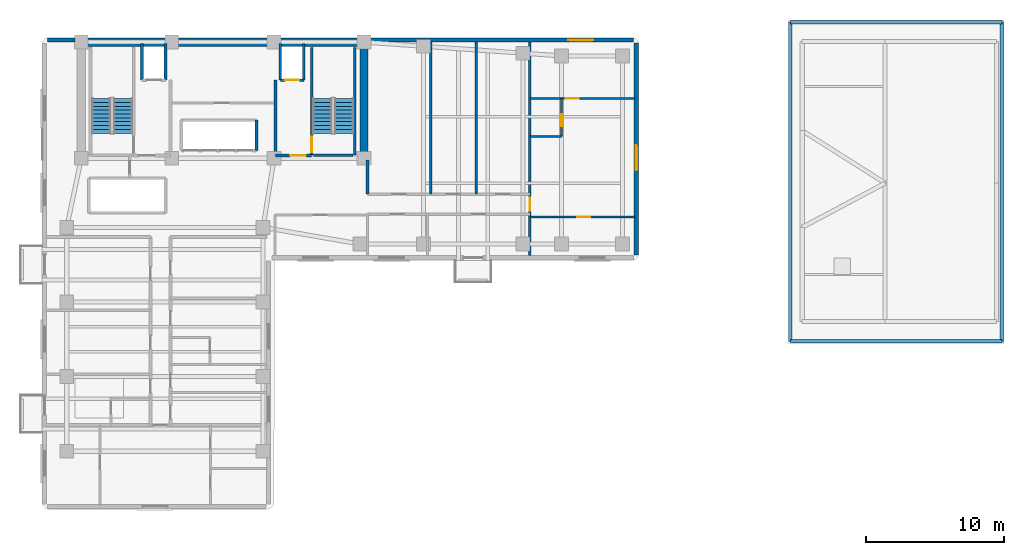
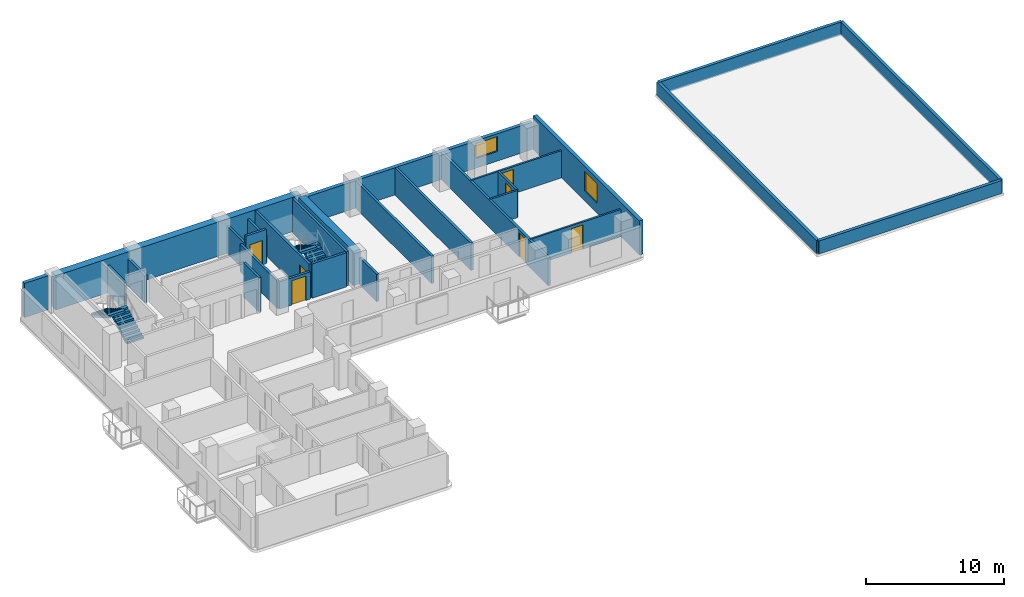
# One storey, part 5 of 8: 28 walls, 7 doors, 4 stair flights, 2 windows, 9 openings, 2 elements without a shape of their own.
"""IFC4 building model written with IfcOpenShell, lengths in metres."""

import ifcopenshell
import ifcopenshell.guid

model = None  # the IFC model being written
_history = None  # IfcOwnerHistory: only IFC2X3 demands one
_inside = {}  # id of a spatial element -> (the spatial element, [elements in it])
_under = {}  # id of a project, library or spatial element -> (it, [spatial elements below it])
_declared = {}  # id of a project -> (the project, [libraries it declares])
_typed = {}  # id of a type object -> (the type object, [elements of that type])
_made_of = {}  # id of a material, layer set ... -> (it, [elements and type objects made of it])


def new_model(schema):
    """Start an empty IFC model of exactly this schema.

    Asked for "IFC4X3", IfcOpenShell would pick the latest addendum, in which some entities
    have other attributes; the version numbers below select the first issue.
    IFC2X3 requires an IfcOwnerHistory on every rooted entity: one is made here for all.
    """
    global model, _history
    if schema == "IFC4X3":
        model = ifcopenshell.file(schema_version=(4, 3, 0, 0))
    else:
        model = ifcopenshell.file(schema=schema)
    _inside.clear()
    _under.clear()
    _declared.clear()
    _typed.clear()
    _made_of.clear()
    _history = None
    if model.schema == "IFC2X3":
        org = make("IfcOrganization", Name="unknown")
        user = make(
            "IfcPersonAndOrganization",
            ThePerson=make("IfcPerson", FamilyName="unknown"),
            TheOrganization=org,
        )
        app = make(
            "IfcApplication",
            ApplicationDeveloper=org,
            Version="unknown",
            ApplicationFullName="unknown",
            ApplicationIdentifier="unknown",
        )
        _history = make(
            "IfcOwnerHistory",
            OwningUser=user,
            OwningApplication=app,
            ChangeAction="ADDED",
            CreationDate=0,
        )
    return model


def make(cls, **values):
    """One entity of the class cls with the attributes given. An attribute that is None is left unset."""
    return model.create_entity(
        cls, **{name: value for name, value in values.items() if value is not None}
    )


def rooted(cls, **values):
    """An entity with a GlobalId (a new one), such as an element, a storey or a relation."""
    return make(cls, GlobalId=ifcopenshell.guid.new(), OwnerHistory=_history, **values)


def si_unit(unit_type, name, prefix=None):
    """IfcSIUnit, for example si_unit("LENGTHUNIT", "METRE", prefix="MILLI")."""
    return make("IfcSIUnit", UnitType=unit_type, Prefix=prefix, Name=name)


def assignment(units):
    """IfcUnitAssignment: the units of a project."""
    return None if units is None else make("IfcUnitAssignment", Units=units)


def point(xyz):
    """IfcCartesianPoint."""
    return None if xyz is None else make("IfcCartesianPoint", Coordinates=xyz)


def direction(xyz):
    """IfcDirection."""
    return None if xyz is None else make("IfcDirection", DirectionRatios=xyz)


def frame(location, z_axis=None, x_axis=None):
    """IfcAxis2Placement3D, a coordinate frame: its origin and axes. An axis left out is left unset."""
    return make(
        "IfcAxis2Placement3D",
        Location=point(location),
        Axis=direction(z_axis),
        RefDirection=direction(x_axis),
    )


def frame_2d(location, x_axis=None):
    """IfcAxis2Placement2D, a coordinate frame in the plane: its origin and x axis."""
    return make(
        "IfcAxis2Placement2D", Location=point(location), RefDirection=direction(x_axis)
    )


def origin():
    """The frame at (0, 0, 0) with its axes left unset."""
    return frame((0.0, 0.0, 0.0))


def place(relative_to, where):
    """IfcLocalPlacement: puts the frame where relative to a parent placement (None: the world)."""
    return make(
        "IfcLocalPlacement", PlacementRelTo=relative_to, RelativePlacement=where
    )


def context(
    kind, dimensions, precision=None, world=None, true_north=None, identifier=None
):
    """IfcGeometricRepresentationContext, for example the 3D "Model" context."""
    return make(
        "IfcGeometricRepresentationContext",
        ContextIdentifier=identifier,
        ContextType=kind,
        CoordinateSpaceDimension=dimensions,
        Precision=precision,
        WorldCoordinateSystem=world,
        TrueNorth=true_north,
    )


def subcontext(parent, identifier, kind, view, scale=None):
    """IfcGeometricRepresentationSubContext, for example "Body" below "Model"."""
    return make(
        "IfcGeometricRepresentationSubContext",
        ContextIdentifier=identifier,
        ContextType=kind,
        ParentContext=parent,
        TargetScale=scale,
        TargetView=view,
    )


def project(units=None, contexts=None):
    """IfcProject with its units and contexts."""
    return rooted(
        "IfcProject",
        Name="project",
        RepresentationContexts=contexts,
        UnitsInContext=assignment(units),
    )


def spatial(cls, under=None, at=None, **own):
    """A site, building, storey or space (cls), placed at a placement, below another one or the project."""
    s = rooted(cls, ObjectPlacement=at, **own)
    if under is not None:
        _under.setdefault(under.id(), (under, []))[1].append(s)
    return s


def polyline(points):
    """IfcPolyline through the points."""
    return make("IfcPolyline", Points=[point(p) for p in points])


def profile(cls, at=None, kind="AREA", **sizes):
    """A parametric profile (cls). Its sizes go by their IFC names, for example OverallWidth=200.0."""
    return make(cls, ProfileType=kind, Position=at, **sizes)


def rectangle(**sizes):
    """IfcRectangleProfileDef."""
    return profile("IfcRectangleProfileDef", **sizes)


def outline(outer, holes=None, kind="AREA"):
    """IfcArbitraryClosedProfileDef: a profile drawn as a closed curve; with holes, ...WithVoids."""
    if holes is None:
        return make("IfcArbitraryClosedProfileDef", ProfileType=kind, OuterCurve=outer)
    return make(
        "IfcArbitraryProfileDefWithVoids",
        ProfileType=kind,
        OuterCurve=outer,
        InnerCurves=holes,
    )


def extrude(swept, where, along, depth):
    """IfcExtrudedAreaSolid: the profile swept, set in the frame where, extruded along a direction by depth."""
    return make(
        "IfcExtrudedAreaSolid",
        SweptArea=swept,
        Position=where,
        ExtrudedDirection=direction(along),
        Depth=depth,
    )


def shape(context_of_items, identifier, shape_type, items):
    """IfcShapeRepresentation: the items that make up one representation, for example the "Body"."""
    return make(
        "IfcShapeRepresentation",
        ContextOfItems=context_of_items,
        RepresentationIdentifier=identifier,
        RepresentationType=shape_type,
        Items=items,
    )


def material(Name=None, Category=None):
    """IfcMaterial."""
    return make("IfcMaterial", Name=Name, Category=Category)


def layer(
    of_material, thickness, ventilated=None, Name=None, Category=None, Priority=None
):
    """IfcMaterialLayer: one layer of a wall or slab, of a material (None: an air gap)."""
    return make(
        "IfcMaterialLayer",
        Material=of_material,
        LayerThickness=thickness,
        IsVentilated=ventilated,
        Name=Name,
        Category=Category,
        Priority=Priority,
    )


def layer_set(layers, Name=None):
    """IfcMaterialLayerSet."""
    return make("IfcMaterialLayerSet", MaterialLayers=layers, LayerSetName=Name)


def made_of(thing, what):
    """Note that an element or type object is made of a material, layer set ...; save() writes the relation."""
    if what is not None:
        _made_of.setdefault(what.id(), (what, []))[1].append(thing)
    return thing


def type_object(cls, material=None, **own):
    """A type object (cls), such as IfcWallType, which elements share."""
    return made_of(rooted(cls, **own), material)


def element(
    cls,
    number,
    at=None,
    inside=None,
    cuts=None,
    type_object=None,
    material=None,
    context=None,
    identifier="Body",
    shape_type=None,
    held_by="IfcProductDefinitionShape",
    body=None,
    shapes=None,
    **own,
):
    """One element of the class cls, such as IfcWall. Its Tag is "e" and its number.

    at: its placement. inside: the storey or other place that contains it. cuts: it is an
    opening in that element (IfcRelVoidsElement). A single representation is given by context,
    identifier, shape_type and body (its items); several are given by shapes. held_by: the class
    of the entity that holds the representations. save() writes the other relations.
    """
    e = rooted(cls, Tag="e%d" % number, ObjectPlacement=at, **own)
    if body is not None:
        shapes = [shape(context, identifier, shape_type, body)]
    if shapes is not None:
        e.Representation = make(held_by, Representations=shapes)
    if inside is not None:
        _inside.setdefault(inside.id(), (inside, []))[1].append(e)
    if cuts is not None:
        rooted(
            "IfcRelVoidsElement", RelatingBuildingElement=cuts, RelatedOpeningElement=e
        )
    if type_object is not None:
        _typed.setdefault(type_object.id(), (type_object, []))[1].append(e)
    return made_of(e, material)


def fill(opening, filler):
    """IfcRelFillsElement: the door or window that sits in an opening."""
    return rooted(
        "IfcRelFillsElement",
        RelatingOpeningElement=opening,
        RelatedBuildingElement=filler,
    )


def aggregate(whole, parts):
    """IfcRelAggregates: a whole, such as a stair, and the parts it consists of."""
    return rooted("IfcRelAggregates", RelatingObject=whole, RelatedObjects=parts)


def save(model, path):
    """Write the relations noted so far, then the file.

    IfcRelAggregates (storeys below a building ...), IfcRelContainedInSpatialStructure (elements
    in a storey), IfcRelDefinesByType, IfcRelAssociatesMaterial and IfcRelDeclares: one each for
    every whole, place, type object, material and project.
    """
    for whole, parts in _under.values():
        aggregate(whole, parts)
    for where, things in _inside.values():
        rooted(
            "IfcRelContainedInSpatialStructure",
            RelatedElements=things,
            RelatingStructure=where,
        )
    for kind, things in _typed.values():
        rooted("IfcRelDefinesByType", RelatedObjects=things, RelatingType=kind)
    for what, things in _made_of.values():
        rooted("IfcRelAssociatesMaterial", RelatedObjects=things, RelatingMaterial=what)
    for by, libraries in _declared.values():
        rooted("IfcRelDeclares", RelatingContext=by, RelatedDefinitions=libraries)
    model.write(path)


model = new_model("IFC4")

# Units and contexts
model_context = context("Model", 3, precision=1e-05, world=origin(), true_north=direction((0.0, 1.0)))
body_context = subcontext(model_context, "Body", "Model", "MODEL_VIEW")
ifc_project = project(units=[si_unit("LENGTHUNIT", "METRE"), si_unit("AREAUNIT", "SQUARE_METRE"), si_unit("VOLUMEUNIT", "CUBIC_METRE"), si_unit("PLANEANGLEUNIT", "RADIAN"), si_unit("MASSUNIT", "GRAM", prefix="KILO")], contexts=[model_context])

# Site, building, storey
site_placement = place(None, origin())
site = spatial("IfcSite", under=ifc_project, at=site_placement, CompositionType="ELEMENT")
building_placement = place(site_placement, origin())
building = spatial("IfcBuilding", under=site, at=building_placement, Name="Kuzgunbayir Cultural Tower", CompositionType="ELEMENT")
storey_placement = place(building_placement, frame((0.0, 0.0, 107.39990234375)))
storey = spatial("IfcBuildingStorey", under=building, at=storey_placement, Name="L30", CompositionType="ELEMENT", Elevation=107.39990234375)

# Walls
ifc_material_1 = material(Name="Concrete C60/75", Category="concrete")
ifc_layer_1 = layer(ifc_material_1, 0.60009765625)
ifc_layer_set_1 = layer_set([ifc_layer_1], Name="Concrete C60/75")
wall_type_1 = type_object("IfcWallType", Name="WAL-CORE-600", PredefinedType="SHEAR", material=ifc_layer_set_1)
wall_1_placement = place(storey_placement, frame((6.449951171875, 42.199951171875, 0.0), z_axis=(0.0, 0.0, 1.0), x_axis=(1.0, 0.0, 0.0)))
element("IfcWall", 1, at=wall_1_placement, inside=storey, type_object=wall_type_1, Name="L30 T1 Core North Shear Wall", PredefinedType="SHEAR", context=body_context, shape_type="SweptSolid", body=[
    extrude(rectangle(XDim=20.449951171875, YDim=0.60009765625, at=frame_2d((10.22509765625, 0.0))), origin(), (0.0, 0.0, 1.0), 3.02001953125),
])
wall_2_placement = place(storey_placement, frame((26.89990234375, 33.800048828125, 0.0), z_axis=(0.0, 0.0, 1.0), x_axis=(0.0, 1.0, 0.0)))
element("IfcWall", 2, at=wall_2_placement, inside=storey, type_object=wall_type_1, Name="L30 T1 Core East Shear Wall", PredefinedType="SHEAR", context=body_context, shape_type="SweptSolid", body=[
    extrude(rectangle(XDim=7.949951171875, YDim=0.60009765625, at=frame_2d((3.97509765625, 0.0))), origin(), (0.0, 0.0, 1.0), 3.02001953125),
])

# Wall, opening, window
ifc_material_2 = material(Name="Anatolian Cream Limestone", Category="masonry")
ifc_layer_2 = layer(ifc_material_2, 0.300048828125)
ifc_layer_set_2 = layer_set([ifc_layer_2], Name="Anatolian Cream Limestone")
wall_type_2 = type_object("IfcWallType", Name="WAL-EXT-STONE-300", PredefinedType="STANDARD", material=ifc_layer_set_2)
wall_3_placement = place(storey_placement, frame((46.39990234375, 42.35009765625, 0.0), z_axis=(0.0, 0.0, 1.0), x_axis=(-1.0, 0.0, 0.0)))
wall_3 = element("IfcWall", 3, at=wall_3_placement, inside=storey, type_object=wall_type_2, Name="L30 North Wing B Limestone Wall", PredefinedType="STANDARD", context=body_context, shape_type="SweptSolid", body=[
    extrude(rectangle(XDim=19.0498046875, YDim=0.300048828125, at=frame_2d((9.52490234375, 0.0))), origin(), (0.0, 0.0, 1.0), 2.41015625),
])
opening_1_placement = place(wall_3_placement, frame((2.919921875, 0.0, 0.85009765625)))
opening_1 = element("IfcOpeningElement", 4, at=opening_1_placement, cuts=wall_3, Name="Opening WH-18", PredefinedType="OPENING", context=body_context, shape_type="SweptSolid", body=[
    extrude(rectangle(XDim=1.800048828125, YDim=1.31005859375, at=frame_2d((0.89990234375, 0.655029296875))), frame((0.0, 0.16015625, 0.0), z_axis=(0.0, -1.0, 0.0), x_axis=(1.0, 0.0, 0.0)), (0.0, 0.0, 1.0), 0.320068359375),
])
ifc_material_3 = material(Name="Solar-Control Triple Glazing", Category="glass")
window_type = type_object("IfcWindowType", Name="WIN-HOTEL-18", PartitioningType="SINGLE_PANEL", PredefinedType="WINDOW", material=ifc_material_3)
window_1_placement = place(opening_1_placement, origin())
window_1 = element("IfcWindow", 5, at=window_1_placement, inside=storey, type_object=window_type, Name="L30 CRN Facade Window 5", OverallHeight=1.31005859375, OverallWidth=1.800048828125, PartitioningType="SINGLE_PANEL", PredefinedType="WINDOW", context=body_context, shape_type="SweptSolid", body=[
    extrude(rectangle(XDim=1.800048828125, YDim=1.31005859375, at=frame_2d((0.89990234375, 0.655029296875))), frame((0.0, 0.030029296875, 0.0), z_axis=(0.0, -1.0, 0.0), x_axis=(1.0, 0.0, 0.0)), (0.0, 0.0, 1.0), 0.06005859375),
])
fill(opening_1, window_1)

# Wall
wall_4_placement = place(storey_placement, frame((6.0, 42.35009765625, 0.0), z_axis=(0.0, 0.0, 1.0), x_axis=(-1.0, 0.0, 0.0)))
element("IfcWall", 6, at=wall_4_placement, inside=storey, type_object=wall_type_2, Name="L30 Core North-West Spandrel Link", PredefinedType="STANDARD", context=body_context, shape_type="SweptSolid", body=[
    extrude(rectangle(XDim=2.0, YDim=0.300048828125, at=frame_2d((1.0, 0.0))), origin(), (0.0, 0.0, 1.0), 3.02001953125),
])

# Wall, opening, window
wall_5_placement = place(storey_placement, frame((46.60009765625, 26.800048828125, 0.0), z_axis=(0.0, 0.0, 1.0), x_axis=(0.0, 1.0, 0.0)))
wall_5 = element("IfcWall", 7, at=wall_5_placement, inside=storey, type_object=wall_type_2, Name="L30 Wing B East Limestone Wall", PredefinedType="STANDARD", context=body_context, shape_type="SweptSolid", body=[
    extrude(rectangle(XDim=15.349853515625, YDim=0.300048828125, at=frame_2d((7.6748046875, 0.0))), origin(), (0.0, 0.0, 1.0), 3.02001953125),
])
opening_2_placement = place(wall_5_placement, frame((6.1298828125, 0.0, 0.85009765625)))
opening_2 = element("IfcOpeningElement", 8, at=opening_2_placement, cuts=wall_5, Name="Opening WH-18", PredefinedType="OPENING", context=body_context, shape_type="SweptSolid", body=[
    extrude(rectangle(XDim=1.800048828125, YDim=1.75, at=frame_2d((0.89990234375, 0.875))), frame((0.0, 0.16015625, 0.0), z_axis=(0.0, -1.0, 0.0), x_axis=(1.0, 0.0, 0.0)), (0.0, 0.0, 1.0), 0.320068359375),
])
window_2_placement = place(opening_2_placement, origin())
window_2 = element("IfcWindow", 9, at=window_2_placement, inside=storey, type_object=window_type, Name="L30 WBE Facade Window 4", OverallHeight=1.75, OverallWidth=1.800048828125, PartitioningType="SINGLE_PANEL", PredefinedType="WINDOW", context=body_context, shape_type="SweptSolid", body=[
    extrude(rectangle(XDim=1.800048828125, YDim=1.75, at=frame_2d((0.89990234375, 0.875))), frame((0.0, 0.030029296875, 0.0), z_axis=(0.0, -1.0, 0.0), x_axis=(1.0, 0.0, 0.0)), (0.0, 0.0, 1.0), 0.06005859375),
])
fill(opening_2, window_2)

# Walls
ifc_layer_3 = layer(ifc_material_2, 0.25)
ifc_layer_set_3 = layer_set([ifc_layer_3], Name="Anatolian Cream Limestone")
wall_type_3 = type_object("IfcWallType", Name="WAL-PARAPET-STONE-250", PredefinedType="PARAPET", material=ifc_layer_set_3)
wall_6_placement = place(storey_placement, frame((57.75, 20.550048828125, 0.0), z_axis=(0.0, 0.0, 1.0), x_axis=(1.0, 0.0, 0.0)))
element("IfcWall", 10, at=wall_6_placement, inside=storey, type_object=wall_type_3, Name="L30 Limestone Roof Parapet 1", PredefinedType="PARAPET", context=body_context, shape_type="SweptSolid", body=[
    extrude(rectangle(XDim=15.300048828125, YDim=0.25, at=frame_2d((7.64990234375, 0.0))), origin(), (0.0, 0.0, 1.0), 1.150146484375),
])
wall_7_placement = place(storey_placement, frame((73.050048828125, 20.550048828125, 0.0), z_axis=(0.0, 0.0, 1.0), x_axis=(0.0, 1.0, 0.0)))
element("IfcWall", 11, at=wall_7_placement, inside=storey, type_object=wall_type_3, Name="L30 Limestone Roof Parapet 2", PredefinedType="PARAPET", context=body_context, shape_type="SweptSolid", body=[
    extrude(rectangle(XDim=23.099853515625, YDim=0.25, at=frame_2d((11.5498046875, 0.0))), origin(), (0.0, 0.0, 1.0), 1.150146484375),
])
wall_8_placement = place(storey_placement, frame((73.050048828125, 43.64990234375, 0.0), z_axis=(0.0, 0.0, 1.0), x_axis=(-1.0, 0.0, 0.0)))
element("IfcWall", 12, at=wall_8_placement, inside=storey, type_object=wall_type_3, Name="L30 Limestone Roof Parapet 3", PredefinedType="PARAPET", context=body_context, shape_type="SweptSolid", body=[
    extrude(rectangle(XDim=15.300048828125, YDim=0.25, at=frame_2d((7.64990234375, 0.0))), origin(), (0.0, 0.0, 1.0), 1.150146484375),
])
wall_9_placement = place(storey_placement, frame((57.75, 43.64990234375, 0.0), z_axis=(0.0, 0.0, 1.0), x_axis=(0.0, -1.0, 0.0)))
element("IfcWall", 13, at=wall_9_placement, inside=storey, type_object=wall_type_3, Name="L30 Limestone Roof Parapet 4", PredefinedType="PARAPET", context=body_context, shape_type="SweptSolid", body=[
    extrude(rectangle(XDim=23.099853515625, YDim=0.25, at=frame_2d((11.5498046875, 0.0))), origin(), (0.0, 0.0, 1.0), 1.150146484375),
])

# Wall, opening, door
ifc_material_4 = material(Name="Acoustic Double-Stud Drywall", Category="gypsum")
ifc_layer_4 = layer(ifc_material_4, 0.14990234375)
ifc_layer_set_4 = layer_set([ifc_layer_4], Name="Acoustic Double-Stud Drywall")
wall_type_4 = type_object("IfcWallType", Name="WAL-PART-ACOUSTIC-150", PredefinedType="PARTITIONING", material=ifc_layer_set_4)
wall_10_placement = place(storey_placement, frame((38.89990234375, 38.1201171875, 0.0), z_axis=(0.0, 0.0, 1.0), x_axis=(1.0, 0.0, 0.0)))
wall_10 = element("IfcWall", 14, at=wall_10_placement, inside=storey, type_object=wall_type_4, Name="L30 Corner Suite Bedroom Wall", PredefinedType="PARTITIONING", context=body_context, shape_type="SweptSolid", body=[
    extrude(rectangle(XDim=7.60009765625, YDim=0.14990234375, at=frame_2d((3.800048828125, 0.0))), origin(), (0.0, 0.0, 1.0), 2.41015625),
])
opening_3_placement = place(wall_10_placement, frame((2.590087890625, 0.0, 0.0)))
opening_3 = element("IfcOpeningElement", 15, at=opening_3_placement, cuts=wall_10, Name="Opening DI-90", PredefinedType="OPENING", context=body_context, shape_type="SweptSolid", body=[
    extrude(rectangle(XDim=0.949951171875, YDim=2.14990234375, at=frame_2d((0.47509765625, 1.074951171875))), frame((0.0, 0.0849609375, 0.0), z_axis=(0.0, -1.0, 0.0), x_axis=(1.0, 0.0, 0.0)), (0.0, 0.0, 1.0), 0.169921875),
])
ifc_material_5 = material(Name="Veneered Oak Single Leaf", Category="wood")
door_type_1 = type_object("IfcDoorType", Name="DR-INT-90", OperationType="NOTDEFINED", PredefinedType="DOOR", material=ifc_material_5)
door_1_placement = place(opening_3_placement, origin())
door_1 = element("IfcDoor", 16, at=door_1_placement, inside=storey, type_object=door_type_1, Name="L30 Corner Bedroom Door", OperationType="SINGLE_SWING_RIGHT", OverallHeight=2.14990234375, OverallWidth=0.949951171875, PredefinedType="DOOR", context=body_context, shape_type="SweptSolid", body=[
    extrude(rectangle(XDim=0.949951171875, YDim=2.14990234375, at=frame_2d((0.47509765625, 1.074951171875))), frame((0.0, 0.02490234375, 0.0), z_axis=(0.0, -1.0, 0.0), x_axis=(1.0, 0.0, 0.0)), (0.0, 0.0, 1.0), 0.050048828125),
])
fill(opening_3, door_1)

# Wall
ifc_material_6 = material(Name="Aerated Concrete Blockwork", Category="masonry")
ifc_layer_5 = layer(ifc_material_6, 0.199951171875)
ifc_layer_set_5 = layer_set([ifc_layer_5], Name="Aerated Concrete Blockwork")
wall_type_5 = type_object("IfcWallType", Name="WAL-PART-FIRE-200", PredefinedType="PARTITIONING", material=ifc_layer_set_5)
wall_11_placement = place(storey_placement, frame((20.5, 34.0, 0.0), z_axis=(0.0, 0.0, 1.0), x_axis=(0.0, 1.0, 0.0)))
element("IfcWall", 17, at=wall_11_placement, inside=storey, type_object=wall_type_5, Name="L30 FFL-2 Lobby West Fire Wall", PredefinedType="PARTITIONING", context=body_context, shape_type="SweptSolid", body=[
    extrude(rectangle(XDim=5.449951171875, YDim=0.199951171875, at=frame_2d((2.72509765625, 0.0))), origin(), (0.0, 0.0, 1.0), 2.41015625),
])

# Wall, opening, door
wall_12_placement = place(storey_placement, frame((20.5, 34.0, 0.0), z_axis=(0.0, 0.0, 1.0), x_axis=(1.0, 0.0, 0.0)))
wall_12 = element("IfcWall", 18, at=wall_12_placement, inside=storey, type_object=wall_type_5, Name="L30 FFL-2 Lobby South Fire Wall", PredefinedType="PARTITIONING", context=body_context, shape_type="SweptSolid", body=[
    extrude(rectangle(XDim=2.60009765625, YDim=0.199951171875, at=frame_2d((1.300048828125, 0.0))), origin(), (0.0, 0.0, 1.0), 2.41015625),
])
opening_4_placement = place(wall_12_placement, frame((1.050048828125, 0.0, 0.0)))
opening_4 = element("IfcOpeningElement", 19, at=opening_4_placement, cuts=wall_12, Name="Opening DR-FFL-90", PredefinedType="OPENING", context=body_context, shape_type="SweptSolid", body=[
    extrude(rectangle(XDim=1.14990234375, YDim=2.14990234375, at=frame_2d((0.574951171875, 1.074951171875))), frame((0.0, 0.10986328125, 0.0), z_axis=(0.0, -1.0, 0.0), x_axis=(1.0, 0.0, 0.0)), (0.0, 0.0, 1.0), 0.219970703125),
])
ifc_material_7 = material(Name="Steel S355J2", Category="steel")
door_type_2 = type_object("IfcDoorType", Name="DR-FFL-90", OperationType="NOTDEFINED", PredefinedType="DOOR", material=ifc_material_7)
door_2_placement = place(opening_4_placement, origin())
door_2 = element("IfcDoor", 20, at=door_2_placement, inside=storey, type_object=door_type_2, Name="L30 Firefighting Lobby 2 Door", OperationType="SINGLE_SWING_RIGHT", OverallHeight=2.14990234375, OverallWidth=1.14990234375, PredefinedType="DOOR", context=body_context, shape_type="SweptSolid", body=[
    extrude(rectangle(XDim=1.14990234375, YDim=2.14990234375, at=frame_2d((0.574951171875, 1.074951171875))), frame((0.0, 0.02490234375, 0.0), z_axis=(0.0, -1.0, 0.0), x_axis=(1.0, 0.0, 0.0)), (0.0, 0.0, 1.0), 0.050048828125),
])
fill(opening_4, door_2)

# Wall
wall_13_placement = place(storey_placement, frame((27.14990234375, 31.199951171875, 0.0), z_axis=(0.0, 0.0, 1.0), x_axis=(0.0, 1.0, 0.0)))
element("IfcWall", 21, at=wall_13_placement, inside=storey, type_object=wall_type_5, Name="L30 Wing B North Core Closure Wall", PredefinedType="PARTITIONING", context=body_context, shape_type="SweptSolid", body=[
    extrude(rectangle(XDim=2.47998046875, YDim=0.199951171875, at=frame_2d((1.239990234375, 0.0))), origin(), (0.0, 0.0, 1.0), 2.41015625),
])

# Wall, opening, door
wall_14_placement = place(storey_placement, frame((38.89990234375, 26.75, 0.0), z_axis=(0.0, 0.0, 1.0), x_axis=(0.0, 1.0, 0.0)))
wall_14 = element("IfcWall", 22, at=wall_14_placement, inside=storey, type_object=wall_type_5, Name="L30 Wing B East Suite Wall", PredefinedType="PARTITIONING", context=body_context, shape_type="SweptSolid", body=[
    extrude(rectangle(XDim=15.449951171875, YDim=0.199951171875, at=frame_2d((7.72509765625, 0.0))), origin(), (0.0, 0.0, 1.0), 2.41015625),
])
opening_5_placement = place(wall_14_placement, frame((3.25, 0.0, 0.0)))
opening_5 = element("IfcOpeningElement", 23, at=opening_5_placement, cuts=wall_14, Name="Opening DR-APT-60", PredefinedType="OPENING", context=body_context, shape_type="SweptSolid", body=[
    extrude(rectangle(XDim=0.949951171875, YDim=2.14990234375, at=frame_2d((0.47509765625, 1.074951171875))), frame((0.0, 0.10986328125, 0.0), z_axis=(0.0, -1.0, 0.0), x_axis=(1.0, 0.0, 0.0)), (0.0, 0.0, 1.0), 0.219970703125),
])
ifc_material_8 = material(Name="Acoustic Fire Timber Leaf", Category="wood")
door_type_3 = type_object("IfcDoorType", Name="DR-APT-60", OperationType="NOTDEFINED", PredefinedType="DOOR", material=ifc_material_8)
door_3_placement = place(opening_5_placement, origin())
door_3 = element("IfcDoor", 24, at=door_3_placement, inside=storey, type_object=door_type_3, Name="L30 Corner Suite Entrance", OperationType="SINGLE_SWING_LEFT", OverallHeight=2.14990234375, OverallWidth=0.949951171875, PredefinedType="DOOR", context=body_context, shape_type="SweptSolid", body=[
    extrude(rectangle(XDim=0.949951171875, YDim=2.14990234375, at=frame_2d((0.47509765625, 1.074951171875))), frame((0.0, 0.02490234375, 0.0), z_axis=(0.0, -1.0, 0.0), x_axis=(1.0, 0.0, 0.0)), (0.0, 0.0, 1.0), 0.050048828125),
])
fill(opening_5, door_3)

# Walls
for number, where, z_axis, x_axis, name in (
    (25, (31.72998046875, 31.199951171875, 0.0), (0.0, 0.0, 1.0), (0.0, 1.0, 0.0), "L30 Wing B North Party Wall 1"),
    (26, (35.02001953125, 31.199951171875, 0.0), (0.0, 0.0, 1.0), (0.0, 1.0, 0.0), "L30 Wing B North Party Wall 2"),
):
    element("IfcWall", number, at=place(storey_placement, frame(where, z_axis=z_axis, x_axis=x_axis)), inside=storey, type_object=wall_type_5, Name=name, PredefinedType="PARTITIONING", context=body_context, shape_type="SweptSolid", body=[
        extrude(rectangle(XDim=11.0, YDim=0.199951171875, at=frame_2d((5.5, 0.0))), origin(), (0.0, 0.0, 1.0), 2.41015625),
    ])

# Wall, opening, door
ifc_material_9 = material(Name="Moisture-Resistant Tile Partition", Category="gypsum")
ifc_layer_6 = layer(ifc_material_9, 0.14990234375)
ifc_layer_set_6 = layer_set([ifc_layer_6], Name="Moisture-Resistant Tile Partition")
wall_type_6 = type_object("IfcWallType", Name="WAL-PART-WET-150", PredefinedType="PARTITIONING", material=ifc_layer_set_6)
wall_15_placement = place(storey_placement, frame((38.89990234375, 29.550048828125, 0.0), z_axis=(0.0, 0.0, 1.0), x_axis=(1.0, 0.0, 0.0)))
wall_15 = element("IfcWall", 27, at=wall_15_placement, inside=storey, type_object=wall_type_6, Name="L30 Corner Suite Kitchen Wall", PredefinedType="PARTITIONING", context=body_context, shape_type="SweptSolid", body=[
    extrude(rectangle(XDim=7.60009765625, YDim=0.14990234375, at=frame_2d((3.800048828125, 0.0))), origin(), (0.0, 0.0, 1.0), 2.41015625),
])
opening_6_placement = place(wall_15_placement, frame((3.419921875, 0.0, 0.0)))
opening_6 = element("IfcOpeningElement", 28, at=opening_6_placement, cuts=wall_15, Name="Opening DI-90", PredefinedType="OPENING", context=body_context, shape_type="SweptSolid", body=[
    extrude(rectangle(XDim=0.949951171875, YDim=2.14990234375, at=frame_2d((0.47509765625, 1.074951171875))), frame((0.0, 0.0849609375, 0.0), z_axis=(0.0, -1.0, 0.0), x_axis=(1.0, 0.0, 0.0)), (0.0, 0.0, 1.0), 0.169921875),
])
door_4_placement = place(opening_6_placement, origin())
door_4 = element("IfcDoor", 29, at=door_4_placement, inside=storey, type_object=door_type_1, Name="L30 Corner Suite Kitchen Door", OperationType="SINGLE_SWING_RIGHT", OverallHeight=2.14990234375, OverallWidth=0.949951171875, PredefinedType="DOOR", context=body_context, shape_type="SweptSolid", body=[
    extrude(rectangle(XDim=0.949951171875, YDim=2.14990234375, at=frame_2d((0.47509765625, 1.074951171875))), frame((0.0, 0.02490234375, 0.0), z_axis=(0.0, -1.0, 0.0), x_axis=(1.0, 0.0, 0.0)), (0.0, 0.0, 1.0), 0.050048828125),
])
fill(opening_6, door_4)

# Wall
wall_16_placement = place(storey_placement, frame((38.89990234375, 35.3701171875, 0.0), z_axis=(0.0, 0.0, 1.0), x_axis=(1.0, 0.0, 0.0)))
element("IfcWall", 30, at=wall_16_placement, inside=storey, type_object=wall_type_6, Name="L30 Corner Suite Bath South Wall", PredefinedType="PARTITIONING", context=body_context, shape_type="SweptSolid", body=[
    extrude(rectangle(XDim=2.300048828125, YDim=0.14990234375, at=frame_2d((1.14990234375, 0.0))), origin(), (0.0, 0.0, 1.0), 2.41015625),
])

# Wall, opening, door
wall_17_placement = place(storey_placement, frame((41.199951171875, 35.3701171875, 0.0), z_axis=(0.0, 0.0, 1.0), x_axis=(0.0, 1.0, 0.0)))
wall_17 = element("IfcWall", 31, at=wall_17_placement, inside=storey, type_object=wall_type_6, Name="L30 Corner Suite Bath East Wall", PredefinedType="PARTITIONING", context=body_context, shape_type="SweptSolid", body=[
    extrude(rectangle(XDim=2.75, YDim=0.14990234375, at=frame_2d((1.375, 0.0))), origin(), (0.0, 0.0, 1.0), 2.41015625),
])
opening_7_placement = place(wall_17_placement, frame((0.75, 0.0, 0.0)))
opening_7 = element("IfcOpeningElement", 32, at=opening_7_placement, cuts=wall_17, Name="Opening DW-85", PredefinedType="OPENING", context=body_context, shape_type="SweptSolid", body=[
    extrude(rectangle(XDim=0.85009765625, YDim=2.10009765625, at=frame_2d((0.425048828125, 1.050048828125))), frame((0.0, 0.0849609375, 0.0), z_axis=(0.0, -1.0, 0.0), x_axis=(1.0, 0.0, 0.0)), (0.0, 0.0, 1.0), 0.169921875),
])
ifc_material_10 = material(Name="Laminate Moisture-Resistant Leaf", Category="wood")
door_type_4 = type_object("IfcDoorType", Name="DR-WET-85", OperationType="NOTDEFINED", PredefinedType="DOOR", material=ifc_material_10)
door_5_placement = place(opening_7_placement, origin())
door_5 = element("IfcDoor", 33, at=door_5_placement, inside=storey, type_object=door_type_4, Name="L30 Corner Suite Bathroom Door", OperationType="SINGLE_SWING_LEFT", OverallHeight=2.10009765625, OverallWidth=0.85009765625, PredefinedType="DOOR", context=body_context, shape_type="SweptSolid", body=[
    extrude(rectangle(XDim=0.85009765625, YDim=2.10009765625, at=frame_2d((0.425048828125, 1.050048828125))), frame((0.0, 0.02490234375, 0.0), z_axis=(0.0, -1.0, 0.0), x_axis=(1.0, 0.0, 0.0)), (0.0, 0.0, 1.0), 0.050048828125),
])
fill(opening_7, door_5)

ifc_material_11 = material(Name="Concrete C40/50", Category="concrete")
ifc_layer_7 = layer(ifc_material_11, 0.199951171875)
ifc_layer_set_7 = layer_set([ifc_layer_7], Name="Concrete C40/50")
wall_type_7 = type_object("IfcWallType", Name="WAL-SHAFT-200", PredefinedType="MOVABLE", material=ifc_layer_set_7)
wall_18_placement = place(storey_placement, frame((20.85009765625, 39.449951171875, 0.0), z_axis=(0.0, 0.0, 1.0), x_axis=(1.0, 0.0, 0.0)))
wall_18 = element("IfcWall", 34, at=wall_18_placement, inside=storey, type_object=wall_type_7, Name="L30 FFL-2 Lift Front Wall", PredefinedType="MOVABLE", context=body_context, shape_type="SweptSolid", body=[
    extrude(rectangle(XDim=1.699951171875, YDim=0.199951171875, at=frame_2d((0.85009765625, 0.0))), origin(), (0.0, 0.0, 1.0), 3.02001953125),
])
opening_8_placement = place(wall_18_placement, frame((0.320068359375, 0.0, 0.0)))
opening_8 = element("IfcOpeningElement", 35, at=opening_8_placement, cuts=wall_18, Name="Opening LD", PredefinedType="OPENING", context=body_context, shape_type="SweptSolid", body=[
    extrude(rectangle(XDim=1.050048828125, YDim=2.14990234375, at=frame_2d((0.52490234375, 1.074951171875))), frame((0.0, 0.10986328125, 0.0), z_axis=(0.0, -1.0, 0.0), x_axis=(1.0, 0.0, 0.0)), (0.0, 0.0, 1.0), 0.219970703125),
])
ifc_material_12 = material(Name="Brushed Stainless Steel", Category="steel")
door_type_5 = type_object("IfcDoorType", Name="DR-LIFT-LANDING", OperationType="SLIDING_TO_LEFT", PredefinedType="DOOR", material=ifc_material_12)
door_6_placement = place(opening_8_placement, origin())
door_6 = element("IfcDoor", 36, at=door_6_placement, inside=storey, type_object=door_type_5, Name="L30 Lift FFL-2 Landing Door", OperationType="SLIDING_TO_LEFT", OverallHeight=2.14990234375, OverallWidth=1.050048828125, PredefinedType="DOOR", context=body_context, shape_type="SweptSolid", body=[
    extrude(rectangle(XDim=1.050048828125, YDim=2.14990234375, at=frame_2d((0.52490234375, 1.074951171875))), frame((0.0, 0.02490234375, 0.0), z_axis=(0.0, -1.0, 0.0), x_axis=(1.0, 0.0, 0.0)), (0.0, 0.0, 1.0), 0.050048828125),
])
fill(opening_8, door_6)

# Walls
for number, where, z_axis, x_axis, name in (
    (37, (10.85009765625, 39.449951171875, 0.0), (0.0, 0.0, 1.0), (0.0, 1.0, 0.0), "L30 FFL-1 Shaft West Wall"),
    (38, (12.550048828125, 39.449951171875, 0.0), (0.0, 0.0, 1.0), (0.0, 1.0, 0.0), "L30 FFL-1 Shaft East Wall"),
    (39, (20.85009765625, 39.449951171875, 0.0), (0.0, 0.0, 1.0), (0.0, 1.0, 0.0), "L30 FFL-2 Shaft West Wall"),
    (40, (22.550048828125, 39.449951171875, 0.0), (0.0, 0.0, 1.0), (0.0, 1.0, 0.0), "L30 FFL-2 Shaft East Wall"),
):
    element("IfcWall", number, at=place(storey_placement, frame(where, z_axis=z_axis, x_axis=x_axis)), inside=storey, type_object=wall_type_7, Name=name, PredefinedType="MOVABLE", context=body_context, shape_type="SweptSolid", body=[
        extrude(rectangle(XDim=2.650146484375, YDim=0.199951171875, at=frame_2d((1.3251953125, 0.0))), origin(), (0.0, 0.0, 1.0), 2.41015625),
    ])
wall_19_placement = place(storey_placement, frame((19.1201171875, 34.35009765625, 0.0), z_axis=(0.0, 0.0, 1.0), x_axis=(0.0, 1.0, 0.0)))
element("IfcWall", 41, at=wall_19_placement, inside=storey, type_object=wall_type_7, Name="L30 Mid-Rise Lift Shaft East Wall", PredefinedType="MOVABLE", context=body_context, shape_type="SweptSolid", body=[
    extrude(rectangle(XDim=2.199951171875, YDim=0.199951171875, at=frame_2d((1.10009765625, 0.0))), origin(), (0.0, 0.0, 1.0), 3.02001953125),
])

# Wall, opening, door
ifc_layer_8 = layer(ifc_material_11, 0.199951171875)
ifc_layer_set_8 = layer_set([ifc_layer_8], Name="Concrete C40/50")
wall_type_8 = type_object("IfcWallType", Name="WAL-STAIR-RC-200", PredefinedType="SHEAR", material=ifc_layer_set_8)
wall_20_placement = place(storey_placement, frame((23.1201171875, 34.02001953125, 0.0), z_axis=(0.0, 0.0, 1.0), x_axis=(0.0, 1.0, 0.0)))
wall_20 = element("IfcWall", 42, at=wall_20_placement, inside=storey, type_object=wall_type_8, Name="L30 Stair ST-2 West Structural Wall", PredefinedType="SHEAR", context=body_context, shape_type="SweptSolid", body=[
    extrude(rectangle(XDim=7.780029296875, YDim=0.199951171875, at=frame_2d((3.89013671875, 0.0))), origin(), (0.0, 0.0, 1.0), 3.02001953125),
])
opening_9_placement = place(wall_20_placement, frame((0.219970703125, 0.0, 0.0)))
opening_9 = element("IfcOpeningElement", 43, at=opening_9_placement, cuts=wall_20, Name="Opening DR-STAIR-90", PredefinedType="OPENING", context=body_context, shape_type="SweptSolid", body=[
    extrude(rectangle(XDim=1.10009765625, YDim=2.14990234375, at=frame_2d((0.550048828125, 1.074951171875))), frame((0.0, 0.10986328125, 0.0), z_axis=(0.0, -1.0, 0.0), x_axis=(1.0, 0.0, 0.0)), (0.0, 0.0, 1.0), 0.219970703125),
])
door_type_6 = type_object("IfcDoorType", Name="DR-STAIR-90", OperationType="NOTDEFINED", PredefinedType="DOOR", material=ifc_material_7)
door_7_placement = place(opening_9_placement, origin())
door_7 = element("IfcDoor", 44, at=door_7_placement, inside=storey, type_object=door_type_6, Name="L30 Stair ST-2 Fire Door", OperationType="SINGLE_SWING_RIGHT", OverallHeight=2.14990234375, OverallWidth=1.10009765625, PredefinedType="DOOR", context=body_context, shape_type="SweptSolid", body=[
    extrude(rectangle(XDim=1.10009765625, YDim=2.14990234375, at=frame_2d((0.550048828125, 1.074951171875))), frame((0.0, 0.02490234375, 0.0), z_axis=(0.0, -1.0, 0.0), x_axis=(1.0, 0.0, 0.0)), (0.0, 0.0, 1.0), 0.050048828125),
])
fill(opening_9, door_7)

# Walls
wall_21_placement = place(storey_placement, frame((26.239990234375, 34.02001953125, 0.0), z_axis=(0.0, 0.0, 1.0), x_axis=(0.0, 1.0, 0.0)))
element("IfcWall", 45, at=wall_21_placement, inside=storey, type_object=wall_type_8, Name="L30 Stair ST-2 East Structural Wall", PredefinedType="SHEAR", context=body_context, shape_type="SweptSolid", body=[
    extrude(rectangle(XDim=7.780029296875, YDim=0.199951171875, at=frame_2d((3.89013671875, 0.0))), origin(), (0.0, 0.0, 1.0), 3.02001953125),
])
wall_22_placement = place(storey_placement, frame((23.239990234375, 34.02001953125, 0.0), z_axis=(0.0, 0.0, 1.0), x_axis=(1.0, 0.0, 0.0)))
element("IfcWall", 46, at=wall_22_placement, inside=storey, type_object=wall_type_8, Name="L30 Stair ST-2 South Structural Wall", PredefinedType="SHEAR", context=body_context, shape_type="SweptSolid", body=[
    extrude(rectangle(XDim=2.880126953125, YDim=0.199951171875, at=frame_2d((1.43994140625, 0.0))), origin(), (0.0, 0.0, 1.0), 3.02001953125),
])

# Stair, stair flights
stair_type = type_object("IfcStairType", Name="STR-EXIT-CORE", PredefinedType="HALF_TURN_STAIR", material=ifc_material_11)
stair_1_placement = place(storey_placement, origin())
stair_1 = element("IfcStair", 47, at=stair_1_placement, inside=storey, type_object=stair_type, Name="L30 ST-1", PredefinedType="HALF_TURN_STAIR")
stair_flight_type = type_object("IfcStairFlightType", Name="STRF-RC-140", PredefinedType="STRAIGHT", material=ifc_material_11)
stair_flight_1_placement = place(storey_placement, frame((9.4599609375, 35.60009765625, 0.0), z_axis=(0.0, 0.0, 1.0), x_axis=(0.0, 1.0, 0.0)))
stair_flight_1 = element("IfcStairFlight", 48, at=stair_flight_1_placement, type_object=stair_flight_type, Name="ST-1 flight 1", NumberOfRisers=10, NumberOfTreads=9, PredefinedType="STRAIGHT", RiserHeight=0.16, TreadLength=0.28, context=body_context, shape_type="SweptSolid", body=[
    extrude(outline(polyline([(0.0, 0.0), (0.0, 0.159912109375), (0.280029296875, 0.159912109375), (0.280029296875, 0.320068359375), (0.56005859375, 0.320068359375), (0.56005859375, 0.47998046875), (0.840087890625, 0.47998046875), (0.840087890625, 0.639892578125), (1.1201171875, 0.639892578125), (1.1201171875, 0.800048828125), (1.39990234375, 0.800048828125), (1.39990234375, 0.9599609375), (1.679931640625, 0.9599609375), (1.679931640625, 1.1201171875), (1.9599609375, 1.1201171875), (1.9599609375, 1.280029296875), (2.239990234375, 1.280029296875), (2.239990234375, 1.43994140625), (2.52001953125, 1.43994140625), (2.52001953125, 1.60009765625), (2.52001953125, 1.232666015625), (0.362548828125, 0.0), (0.0, 0.0)])), frame((0.0, 0.699951171875, 0.0), z_axis=(0.0, -1.0, 0.0), x_axis=(1.0, 0.0, 0.0)), (0.0, 0.0, 1.0), 1.39990234375),
])
stair_flight_2_placement = place(storey_placement, frame((7.89990234375, 38.1201171875, 1.60009765625), z_axis=(0.0, 0.0, 1.0), x_axis=(0.0, -1.0, 0.0)))
stair_flight_2 = element("IfcStairFlight", 49, at=stair_flight_2_placement, type_object=stair_flight_type, Name="ST-1 flight 2", NumberOfRisers=10, NumberOfTreads=9, PredefinedType="STRAIGHT", RiserHeight=0.16, TreadLength=0.28, context=body_context, shape_type="SweptSolid", body=[
    extrude(outline(polyline([(0.0, 0.0), (0.0, 0.159912109375), (0.280029296875, 0.159912109375), (0.280029296875, 0.320068359375), (0.56005859375, 0.320068359375), (0.56005859375, 0.47998046875), (0.840087890625, 0.47998046875), (0.840087890625, 0.639892578125), (1.1201171875, 0.639892578125), (1.1201171875, 0.800048828125), (1.39990234375, 0.800048828125), (1.39990234375, 0.9599609375), (1.679931640625, 0.9599609375), (1.679931640625, 1.1201171875), (1.9599609375, 1.1201171875), (1.9599609375, 1.280029296875), (2.239990234375, 1.280029296875), (2.239990234375, 1.43994140625), (2.52001953125, 1.43994140625), (2.52001953125, 1.60009765625), (2.52001953125, 1.232666015625), (0.362548828125, 0.0), (0.0, 0.0)])), frame((0.0, 0.699951171875, 0.0), z_axis=(0.0, -1.0, 0.0), x_axis=(1.0, 0.0, 0.0)), (0.0, 0.0, 1.0), 1.39990234375),
])
aggregate(stair_1, [stair_flight_1, stair_flight_2])

stair_2_placement = place(storey_placement, origin())
stair_2 = element("IfcStair", 50, at=stair_2_placement, inside=storey, type_object=stair_type, Name="L30 ST-2", PredefinedType="HALF_TURN_STAIR")
stair_flight_3_placement = place(storey_placement, frame((25.4599609375, 35.60009765625, 0.0), z_axis=(0.0, 0.0, 1.0), x_axis=(0.0, 1.0, 0.0)))
stair_flight_3 = element("IfcStairFlight", 51, at=stair_flight_3_placement, type_object=stair_flight_type, Name="ST-2 flight 1", NumberOfRisers=10, NumberOfTreads=9, PredefinedType="STRAIGHT", RiserHeight=0.16, TreadLength=0.28, context=body_context, shape_type="SweptSolid", body=[
    extrude(outline(polyline([(0.0, 0.0), (0.0, 0.159912109375), (0.280029296875, 0.159912109375), (0.280029296875, 0.320068359375), (0.56005859375, 0.320068359375), (0.56005859375, 0.47998046875), (0.840087890625, 0.47998046875), (0.840087890625, 0.639892578125), (1.1201171875, 0.639892578125), (1.1201171875, 0.800048828125), (1.39990234375, 0.800048828125), (1.39990234375, 0.9599609375), (1.679931640625, 0.9599609375), (1.679931640625, 1.1201171875), (1.9599609375, 1.1201171875), (1.9599609375, 1.280029296875), (2.239990234375, 1.280029296875), (2.239990234375, 1.43994140625), (2.52001953125, 1.43994140625), (2.52001953125, 1.60009765625), (2.52001953125, 1.232666015625), (0.362548828125, 0.0), (0.0, 0.0)])), frame((0.0, 0.699951171875, 0.0), z_axis=(0.0, -1.0, 0.0), x_axis=(1.0, 0.0, 0.0)), (0.0, 0.0, 1.0), 1.39990234375),
])
stair_flight_4_placement = place(storey_placement, frame((23.89990234375, 38.1201171875, 1.60009765625), z_axis=(0.0, 0.0, 1.0), x_axis=(0.0, -1.0, 0.0)))
stair_flight_4 = element("IfcStairFlight", 52, at=stair_flight_4_placement, type_object=stair_flight_type, Name="ST-2 flight 2", NumberOfRisers=10, NumberOfTreads=9, PredefinedType="STRAIGHT", RiserHeight=0.16, TreadLength=0.28, context=body_context, shape_type="SweptSolid", body=[
    extrude(outline(polyline([(0.0, 0.0), (0.0, 0.159912109375), (0.280029296875, 0.159912109375), (0.280029296875, 0.320068359375), (0.56005859375, 0.320068359375), (0.56005859375, 0.47998046875), (0.840087890625, 0.47998046875), (0.840087890625, 0.639892578125), (1.1201171875, 0.639892578125), (1.1201171875, 0.800048828125), (1.39990234375, 0.800048828125), (1.39990234375, 0.9599609375), (1.679931640625, 0.9599609375), (1.679931640625, 1.1201171875), (1.9599609375, 1.1201171875), (1.9599609375, 1.280029296875), (2.239990234375, 1.280029296875), (2.239990234375, 1.43994140625), (2.52001953125, 1.43994140625), (2.52001953125, 1.60009765625), (2.52001953125, 1.232666015625), (0.362548828125, 0.0), (0.0, 0.0)])), frame((0.0, 0.699951171875, 0.0), z_axis=(0.0, -1.0, 0.0), x_axis=(1.0, 0.0, 0.0)), (0.0, 0.0, 1.0), 1.39990234375),
])
aggregate(stair_2, [stair_flight_3, stair_flight_4])

save(model, "model.ifc")
